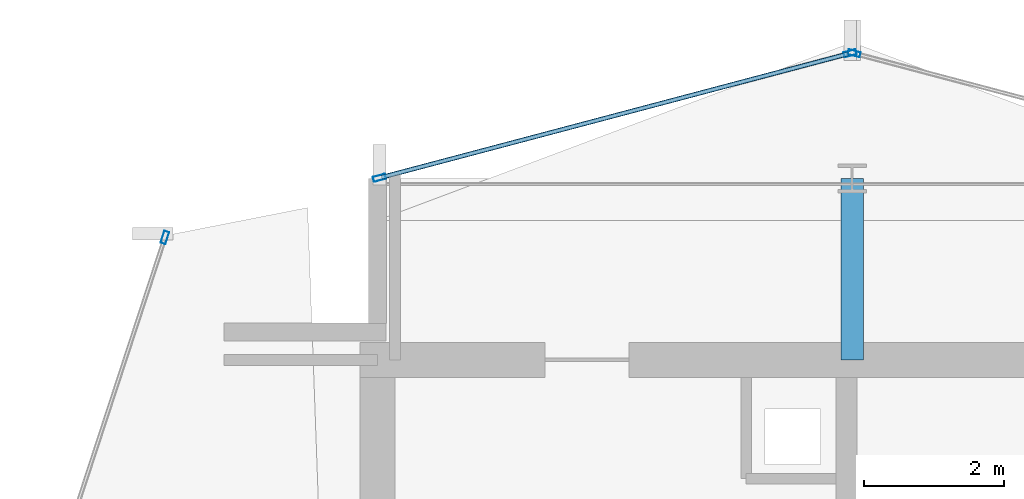
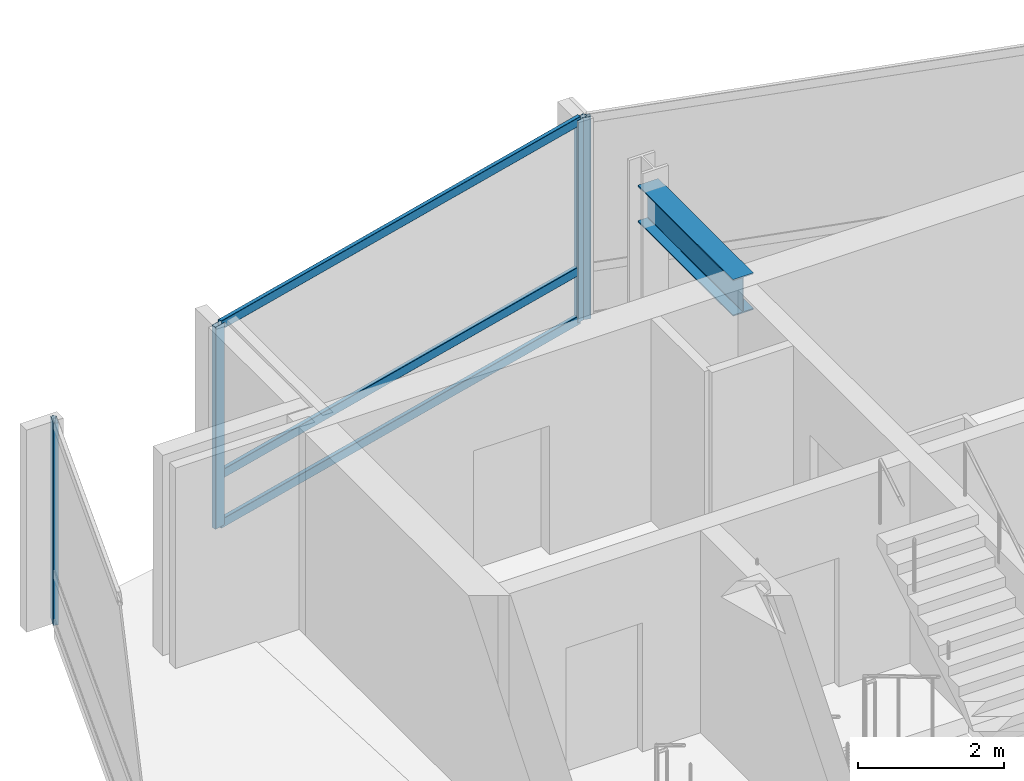
# One storey, part 16 of 27: 7 members, 1 beam, 3 elements without a shape of their own.
"""IFC4 building model written with IfcOpenShell, lengths in metres."""

from ifc_helpers import new_model, si_unit, direction, frame, origin, origin_2d, place, context, subcontext, project, spatial, hollow_rectangle, i_section, extrude, material, layer, layer_set, material_profile, profile_set, type_object, element, aggregate, save


model = new_model("IFC4")

# Units and contexts
model_context = context("Model", 3, precision=1e-05, world=origin(), true_north=direction((0.0, 1.0)))
body_context = subcontext(model_context, "Body", "Model", "MODEL_VIEW")
ifc_project = project(units=[si_unit("LENGTHUNIT", "METRE"), si_unit("AREAUNIT", "SQUARE_METRE"), si_unit("VOLUMEUNIT", "CUBIC_METRE"), si_unit("PLANEANGLEUNIT", "RADIAN"), si_unit("MASSUNIT", "GRAM", prefix="KILO")], contexts=[model_context])

# Site, building, storey
site_placement = place(None, origin())
site = spatial("IfcSite", under=ifc_project, at=site_placement, CompositionType="ELEMENT")
building_placement = place(site_placement, origin())
building = spatial("IfcBuilding", under=site, at=building_placement, Name="Solvaryn Broadcast Tower", CompositionType="ELEMENT")
storey_placement = place(building_placement, frame((0.0, 0.0, 192.699951171875)))
storey = spatial("IfcBuildingStorey", under=building, at=storey_placement, Name="L48", CompositionType="ELEMENT", Elevation=192.699951171875)

# Beam
ifc_material_1 = material(Name="Steel ASTM A992 Grade 50", Category="steel")
ifc_material_profile_1 = material_profile(ifc_material_1, i_section(OverallWidth=0.323974609375, OverallDepth=0.611083984375, WebThickness=0.0126953125, FlangeThickness=0.01904296875, FilletRadius=0.014892578125, at=origin_2d()))
ifc_profile_set_1 = profile_set([ifc_material_profile_1], Name="Steel ASTM A992 Grade 50")
beam_type = type_object("IfcBeamType", Name="BM-B1-W24X104", PredefinedType="BEAM", material=ifc_profile_set_1)
beam_placement = place(storey_placement, frame((18.0, 42.39990234375, 3.064453125), z_axis=(0.0, 1.0, 0.0), x_axis=(-1.0, 0.0, 0.0)))
element("IfcBeam", 1, at=beam_placement, inside=storey, type_object=beam_type, Name="L48 Core Tie Beam CTW3", PredefinedType="BEAM", context=body_context, shape_type="SweptSolid", body=[
    extrude(i_section(OverallWidth=0.323974609375, OverallDepth=0.611083984375, WebThickness=0.0126953125, FlangeThickness=0.01904296875, FilletRadius=0.014892578125, at=origin_2d()), origin(), (0.0, 0.0, 1.0), 2.60009765625),
])

# Curtain wall, member
ifc_material_2 = material(Name="Aluminium and Terracotta Unitised Curtain Wall", Category="masonry")
ifc_layer = layer(ifc_material_2, 0.199951171875)
ifc_layer_set = layer_set([ifc_layer], Name="CW-SYS2-LOWMID")
curtain_wall_type = type_object("IfcCurtainWallType", Name="CW-SYS2-LOWMID", PredefinedType="NOTDEFINED", material=ifc_layer_set)
curtain_wall_1_placement = place(storey_placement, origin())
curtain_wall_1 = element("IfcCurtainWall", 2, at=curtain_wall_1_placement, inside=storey, type_object=curtain_wall_type, Name="L48 Curtain Wall DR1", PredefinedType="NOTDEFINED")
ifc_material_3 = material(Name="Anodised Aluminium 6063-T6", Category="aluminium")
ifc_material_profile_2 = material_profile(ifc_material_3, hollow_rectangle(XDim=0.074951171875, YDim=0.179931640625, WallThickness=0.00390625, InnerFilletRadius=0.00390625, OuterFilletRadius=0.008056640625, at=origin_2d()))
ifc_profile_set_2 = profile_set([ifc_material_profile_2], Name="Anodised Aluminium 6063-T6")
member_type_1 = type_object("IfcMemberType", Name="CW-MUL-180", PredefinedType="MULLION", material=ifc_profile_set_2)
member_1_placement = place(storey_placement, frame((8.153564453125, 44.153564453125, 0.0), z_axis=(0.0, 0.0, 1.0), x_axis=(0.950226902099, -0.311558717623, 0.0)))
member_1 = element("IfcMember", 3, at=member_1_placement, type_object=member_type_1, Name="CWS2 mullion 1", PredefinedType="MULLION", context=body_context, shape_type="SweptSolid", body=[
    extrude(hollow_rectangle(XDim=0.074951171875, YDim=0.179931640625, WallThickness=0.00390625, InnerFilletRadius=0.00390625, OuterFilletRadius=0.008056640625, at=origin_2d()), origin(), (0.0, 0.0, 1.0), 3.3701171875),
])
aggregate(curtain_wall_1, [member_1])

curtain_wall_2_placement = place(storey_placement, origin())
curtain_wall_2 = element("IfcCurtainWall", 4, at=curtain_wall_2_placement, inside=storey, type_object=curtain_wall_type, Name="L48 Curtain Wall NT1", PredefinedType="NOTDEFINED")
member_2_placement = place(storey_placement, frame((18.029052734375, 46.792236328125, 0.0), z_axis=(0.0, 0.0, 1.0), x_axis=(-0.25589256031, -0.966705227863, 0.0)))
member_2 = element("IfcMember", 5, at=member_2_placement, type_object=member_type_1, Name="CWS2 mullion 2", PredefinedType="MULLION", context=body_context, shape_type="SweptSolid", body=[
    extrude(hollow_rectangle(XDim=0.074951171875, YDim=0.179931640625, WallThickness=0.00390625, InnerFilletRadius=0.00390625, OuterFilletRadius=0.008056640625, at=origin_2d()), origin(), (0.0, 0.0, 1.0), 3.3701171875),
])
aggregate(curtain_wall_2, [member_2])

# Curtain wall, members
curtain_wall_3_placement = place(storey_placement, origin())
curtain_wall_3 = element("IfcCurtainWall", 6, at=curtain_wall_3_placement, inside=storey, type_object=curtain_wall_type, Name="L48 Curtain Wall NT2", PredefinedType="NOTDEFINED")
member_3_placement = place(storey_placement, frame((17.970947265625, 46.792236328125, 0.0), z_axis=(0.0, 0.0, 1.0), x_axis=(0.25589256031, -0.966705227863, 0.0)))
member_3 = element("IfcMember", 7, at=member_3_placement, type_object=member_type_1, Name="CWS2 mullion 1", PredefinedType="MULLION", context=body_context, shape_type="SweptSolid", body=[
    extrude(hollow_rectangle(XDim=0.074951171875, YDim=0.179931640625, WallThickness=0.00390625, InnerFilletRadius=0.00390625, OuterFilletRadius=0.008056640625, at=origin_2d()), origin(), (0.0, 0.0, 1.0), 3.3701171875),
])
member_4_placement = place(storey_placement, frame((11.22900390625, 45.007568359375, 0.0), z_axis=(0.0, 0.0, 1.0), x_axis=(0.25589256031, -0.966705227863, 0.0)))
member_4 = element("IfcMember", 8, at=member_4_placement, type_object=member_type_1, Name="CWS2 mullion 2", PredefinedType="MULLION", context=body_context, shape_type="SweptSolid", body=[
    extrude(hollow_rectangle(XDim=0.074951171875, YDim=0.179931640625, WallThickness=0.00390625, InnerFilletRadius=0.00390625, OuterFilletRadius=0.008056640625, at=origin_2d()), origin(), (0.0, 0.0, 1.0), 3.3701171875),
])
ifc_material_4 = material(Name="Anodised Aluminium 6063-T6", Category="aluminium")
ifc_material_profile_3 = material_profile(ifc_material_4, hollow_rectangle(XDim=0.06494140625, YDim=0.14990234375, WallThickness=0.00390625, InnerFilletRadius=0.00390625, OuterFilletRadius=0.008056640625, at=origin_2d()))
ifc_profile_set_3 = profile_set([ifc_material_profile_3], Name="Anodised Aluminium 6063-T6")
member_type_2 = type_object("IfcMemberType", Name="CW-TRN-150", PredefinedType="USERDEFINED", material=ifc_profile_set_3)
member_5_placement = place(storey_placement, frame((17.94189453125, 46.78466796875, 0.030029296875), z_axis=(-0.966703943301, -0.255897413051, 0.0), x_axis=(0.255897413051, -0.966703943301, 0.0)))
member_5 = element("IfcMember", 9, at=member_5_placement, type_object=member_type_2, Name="CWS2 transom 1.1", ObjectType="TRANSOM", PredefinedType="USERDEFINED", context=body_context, shape_type="SweptSolid", body=[
    extrude(hollow_rectangle(XDim=0.06494140625, YDim=0.14990234375, WallThickness=0.00390625, InnerFilletRadius=0.00390625, OuterFilletRadius=0.008056640625, at=origin_2d()), origin(), (0.0, 0.0, 1.0), 6.9140625),
])
member_6_placement = place(storey_placement, frame((17.94189453125, 46.78466796875, 0.85009765625), z_axis=(-0.966703943301, -0.255897413051, 0.0), x_axis=(0.255897413051, -0.966703943301, 0.0)))
member_6 = element("IfcMember", 10, at=member_6_placement, type_object=member_type_2, Name="CWS2 transom 1.2", ObjectType="TRANSOM", PredefinedType="USERDEFINED", context=body_context, shape_type="SweptSolid", body=[
    extrude(hollow_rectangle(XDim=0.06494140625, YDim=0.14990234375, WallThickness=0.00390625, InnerFilletRadius=0.00390625, OuterFilletRadius=0.008056640625, at=origin_2d()), origin(), (0.0, 0.0, 1.0), 6.9140625),
])
member_7_placement = place(storey_placement, frame((17.94189453125, 46.78466796875, 3.340087890625), z_axis=(-0.966703943301, -0.255897413051, 0.0), x_axis=(0.255897413051, -0.966703943301, 0.0)))
member_7 = element("IfcMember", 11, at=member_7_placement, type_object=member_type_2, Name="CWS2 transom 1.3", ObjectType="TRANSOM", PredefinedType="USERDEFINED", context=body_context, shape_type="SweptSolid", body=[
    extrude(hollow_rectangle(XDim=0.06494140625, YDim=0.14990234375, WallThickness=0.00390625, InnerFilletRadius=0.00390625, OuterFilletRadius=0.008056640625, at=origin_2d()), origin(), (0.0, 0.0, 1.0), 6.9140625),
])
aggregate(curtain_wall_3, [member_3, member_4, member_5, member_6, member_7])

save(model, "model.ifc")
